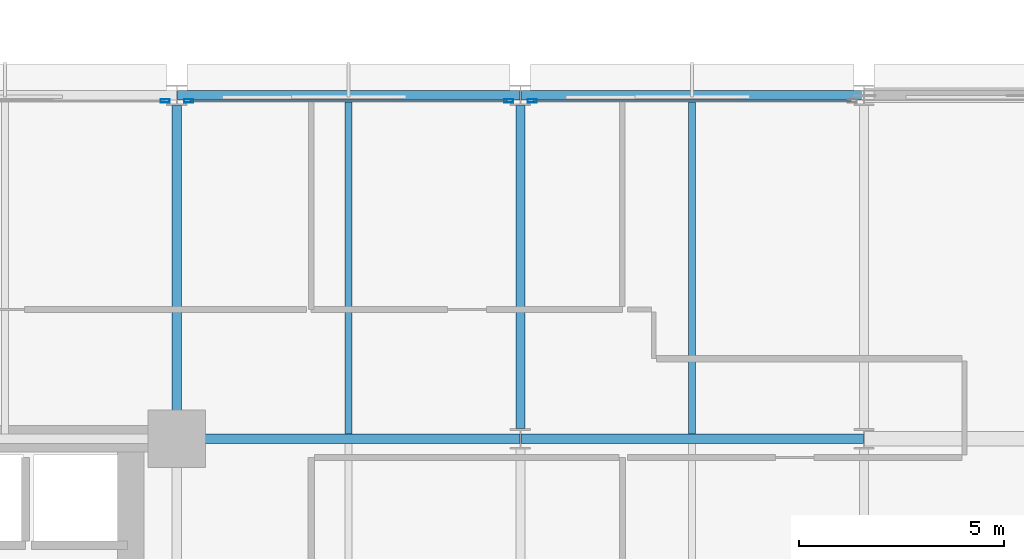
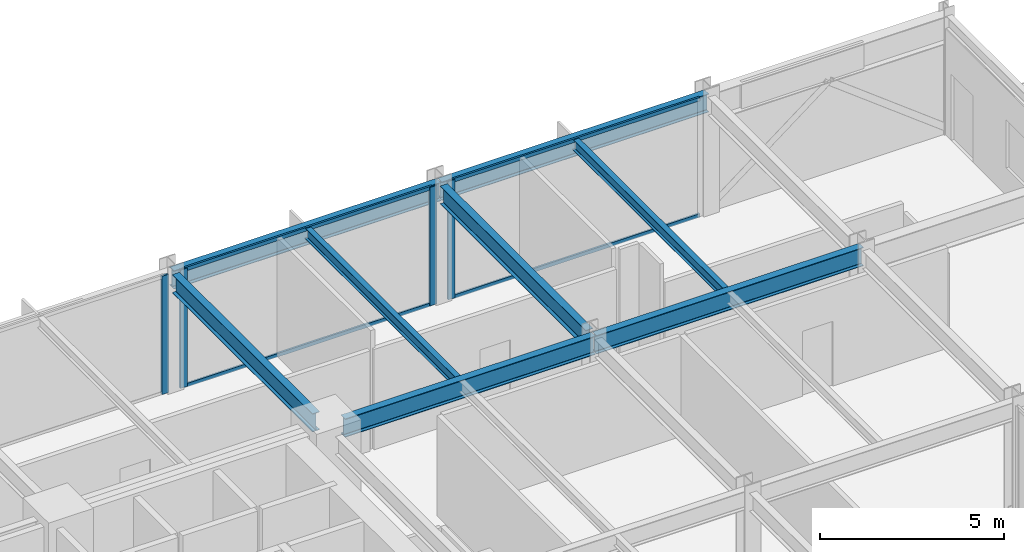
# One storey, part 14 of 30: 8 beams, 8 members, 3 elements without a shape of their own.
"""IFC4 building model written with IfcOpenShell, lengths in metres."""

from ifc_helpers import new_model, si_unit, direction, frame, origin, origin_2d, place, context, subcontext, project, spatial, hollow_rectangle, i_section, extrude, material, layer, layer_set, material_profile, profile_set, type_object, element, aggregate, save


model = new_model("IFC4")

# Units and contexts
model_context = context("Model", 3, precision=1e-05, world=origin(), true_north=direction((0.0, 1.0)))
body_context = subcontext(model_context, "Body", "Model", "MODEL_VIEW")
ifc_project = project(units=[si_unit("LENGTHUNIT", "METRE"), si_unit("AREAUNIT", "SQUARE_METRE"), si_unit("VOLUMEUNIT", "CUBIC_METRE"), si_unit("PLANEANGLEUNIT", "RADIAN"), si_unit("MASSUNIT", "GRAM", prefix="KILO")], contexts=[model_context])

# Site, building, storey
site_placement = place(None, origin())
site = spatial("IfcSite", under=ifc_project, at=site_placement, CompositionType="ELEMENT")
building_placement = place(site_placement, origin())
building = spatial("IfcBuilding", under=site, at=building_placement, Name="Nerrivon Quay Data Exchange", CompositionType="ELEMENT")
storey_placement = place(building_placement, frame((0.0, 0.0, 62.60009765625)))
storey = spatial("IfcBuildingStorey", under=building, at=storey_placement, Name="L14", CompositionType="ELEMENT", Elevation=62.60009765625)

# Beams
ifc_material_1 = material(Name="Steel Grade 350", Category="steel")
ifc_material_profile_1 = material_profile(ifc_material_1, i_section(OverallWidth=0.22900390625, OverallDepth=0.612060546875, WebThickness=0.011962890625, FlangeThickness=0.01953125, FilletRadius=0.013916015625, at=origin_2d()), Name="610UB125")
ifc_profile_set_1 = profile_set([ifc_material_profile_1], Name="Steel Grade 350")
beam_type_1 = type_object("IfcBeamType", Name="BM-G1-610UB125", PredefinedType="BEAM", material=ifc_profile_set_1)
beam_1_placement = place(storey_placement, frame((34.139892578125, 16.800048828125, 3.618896484375), z_axis=(1.0, 0.0, 0.0), x_axis=(0.0, 1.0, 0.0)))
element("IfcBeam", 1, at=beam_1_placement, inside=storey, type_object=beam_type_1, Name="L14 EW Girder Y=16.8 (33.6..42.0)", PredefinedType="BEAM", context=body_context, shape_type="SweptSolid", body=[
    extrude(i_section(OverallWidth=0.22900390625, OverallDepth=0.612060546875, WebThickness=0.011962890625, FlangeThickness=0.01953125, FilletRadius=0.013916015625, at=origin_2d()), origin(), (0.0, 0.0, 1.0), 7.84619140625),
])
for number, where, z_axis, x_axis, name in (
    (2, (42.013916015625, 16.800048828125, 3.618896484375), (1.0, 0.0, 0.0), (0.0, 1.0, 0.0), "L14 EW Girder Y=16.8 (42.0..50.4)"),
    (3, (33.614013671875, 25.199951171875, 3.618896484375), (1.0, 0.0, 0.0), (0.0, 1.0, 0.0), "L14 EW Girder Y=25.2 (33.6..42.0)"),
    (4, (42.013916015625, 25.199951171875, 3.618896484375), (1.0, 0.0, 0.0), (0.0, 1.0, 0.0), "L14 EW Girder Y=25.2 (42.0..50.4)"),
):
    element("IfcBeam", number, at=place(storey_placement, frame(where, z_axis=z_axis, x_axis=x_axis)), inside=storey, type_object=beam_type_1, Name=name, PredefinedType="BEAM", context=body_context, shape_type="SweptSolid", body=[
        extrude(i_section(OverallWidth=0.22900390625, OverallDepth=0.612060546875, WebThickness=0.011962890625, FlangeThickness=0.01953125, FilletRadius=0.013916015625, at=origin_2d()), origin(), (0.0, 0.0, 1.0), 8.3720703125),
    ])
ifc_material_profile_2 = material_profile(ifc_material_1, i_section(OverallWidth=0.22802734375, OverallDepth=0.60205078125, WebThickness=0.010498046875, FlangeThickness=0.014892578125, FilletRadius=0.013916015625, at=origin_2d()), Name="610UB101")
ifc_profile_set_2 = profile_set([ifc_material_profile_2], Name="Steel Grade 350")
beam_type_2 = type_object("IfcBeamType", Name="BM-G2-610UB101", PredefinedType="BEAM", material=ifc_profile_set_2)
beam_2_placement = place(storey_placement, frame((33.60009765625, 17.340087890625, 3.6240234375), z_axis=(0.0, 1.0, 0.0), x_axis=(-1.0, 0.0, 0.0)))
element("IfcBeam", 5, at=beam_2_placement, inside=storey, type_object=beam_type_2, Name="L14 NS Girder X=33.6 (16.8..25.2)", PredefinedType="BEAM", context=body_context, shape_type="SweptSolid", body=[
    extrude(i_section(OverallWidth=0.22802734375, OverallDepth=0.60205078125, WebThickness=0.010498046875, FlangeThickness=0.014892578125, FilletRadius=0.013916015625, at=origin_2d()), origin(), (0.0, 0.0, 1.0), 7.60986328125),
])
beam_3_placement = place(storey_placement, frame((42.0, 17.050048828125, 3.6240234375), z_axis=(0.0, 1.0, 0.0), x_axis=(-1.0, 0.0, 0.0)))
element("IfcBeam", 6, at=beam_3_placement, inside=storey, type_object=beam_type_2, Name="L14 NS Girder X=42.0 (16.8..25.2)", PredefinedType="BEAM", context=body_context, shape_type="SweptSolid", body=[
    extrude(i_section(OverallWidth=0.22802734375, OverallDepth=0.60205078125, WebThickness=0.010498046875, FlangeThickness=0.014892578125, FilletRadius=0.013916015625, at=origin_2d()), origin(), (0.0, 0.0, 1.0), 7.89990234375),
])
ifc_material_profile_3 = material_profile(ifc_material_1, i_section(OverallWidth=0.172119140625, OverallDepth=0.35888671875, WebThickness=0.008056640625, FlangeThickness=0.012939453125, FilletRadius=0.011474609375, at=origin_2d()), Name="360UB56.7")
ifc_profile_set_3 = profile_set([ifc_material_profile_3], Name="Steel Grade 350")
beam_type_3 = type_object("IfcBeamType", Name="BM-J3-360UB57", PredefinedType="JOIST", material=ifc_profile_set_3)
for number, where, z_axis, x_axis, name in (
    (7, (37.800048828125, 16.91455078125, 3.745361328125), (0.0, 1.0, 0.0), (-1.0, 0.0, 0.0), "L14 Secondary Joist X=37.8 (16.8..25.2)"),
    (8, (46.199951171875, 16.91455078125, 3.745361328125), (0.0, 1.0, 0.0), (-1.0, 0.0, 0.0), "L14 Secondary Joist X=46.2 (16.8..25.2)"),
):
    element("IfcBeam", number, at=place(storey_placement, frame(where, z_axis=z_axis, x_axis=x_axis)), inside=storey, type_object=beam_type_3, Name=name, PredefinedType="JOIST", context=body_context, shape_type="SweptSolid", body=[
        extrude(i_section(OverallWidth=0.172119140625, OverallDepth=0.35888671875, WebThickness=0.008056640625, FlangeThickness=0.012939453125, FilletRadius=0.011474609375, at=origin_2d()), origin(), (0.0, 0.0, 1.0), 8.1708984375),
    ])

# Curtain wall, member
ifc_material_2 = material(Name="Anodised aluminium 6063-T6", Category="aluminium")
ifc_layer = layer(ifc_material_2, 0.219970703125)
ifc_layer_set = layer_set([ifc_layer], Name="Anodised aluminium 6063-T6")
curtain_wall_type = type_object("IfcCurtainWallType", Name="CW-SYS-01", PredefinedType="NOTDEFINED", material=ifc_layer_set)
curtain_wall_1_placement = place(storey_placement, origin())
curtain_wall_1 = element("IfcCurtainWall", 9, at=curtain_wall_1_placement, inside=storey, type_object=curtain_wall_type, Name="L14 Unitised Curtain Wall 32", PredefinedType="NOTDEFINED")
ifc_material_profile_4 = material_profile(ifc_material_2, hollow_rectangle(XDim=0.074951171875, YDim=0.219970703125, WallThickness=0.00390625, at=origin_2d()), Name="ALU-MULL-220x75")
ifc_profile_set_4 = profile_set([ifc_material_profile_4], Name="Anodised aluminium 6063-T6")
member_type_1 = type_object("IfcMemberType", Name="CWM-220x75", PredefinedType="MULLION", material=ifc_profile_set_4)
member_1_placement = place(storey_placement, frame((33.3125, 25.06005859375, 0.0), z_axis=(0.0, 0.0, 1.0), x_axis=(0.0, 1.0, 0.0)))
member_1 = element("IfcMember", 10, at=member_1_placement, type_object=member_type_1, Name="CW01 mullion 2", PredefinedType="MULLION", context=body_context, shape_type="SweptSolid", body=[
    extrude(hollow_rectangle(XDim=0.074951171875, YDim=0.219970703125, WallThickness=0.00390625, at=origin_2d()), origin(), (0.0, 0.0, 1.0), 3.9248046875),
])
aggregate(curtain_wall_1, [member_1])

# Curtain wall, members
curtain_wall_2_placement = place(storey_placement, origin())
curtain_wall_2 = element("IfcCurtainWall", 11, at=curtain_wall_2_placement, inside=storey, type_object=curtain_wall_type, Name="L14 Unitised Curtain Wall 33", PredefinedType="NOTDEFINED")
member_2_placement = place(storey_placement, frame((33.887451171875, 25.06005859375, 0.0), z_axis=(0.0, 0.0, 1.0), x_axis=(0.0, 1.0, 0.0)))
member_2 = element("IfcMember", 12, at=member_2_placement, type_object=member_type_1, Name="CW01 mullion 1", PredefinedType="MULLION", context=body_context, shape_type="SweptSolid", body=[
    extrude(hollow_rectangle(XDim=0.074951171875, YDim=0.219970703125, WallThickness=0.00390625, at=origin_2d()), origin(), (0.0, 0.0, 1.0), 3.9248046875),
])
member_3_placement = place(storey_placement, frame((41.71240234375, 25.06005859375, 0.0), z_axis=(0.0, 0.0, 1.0), x_axis=(0.0, 1.0, 0.0)))
member_3 = element("IfcMember", 13, at=member_3_placement, type_object=member_type_1, Name="CW01 mullion 2", PredefinedType="MULLION", context=body_context, shape_type="SweptSolid", body=[
    extrude(hollow_rectangle(XDim=0.074951171875, YDim=0.219970703125, WallThickness=0.00390625, at=origin_2d()), origin(), (0.0, 0.0, 1.0), 3.9248046875),
])

# Curtain wall, member
curtain_wall_3_placement = place(storey_placement, origin())
curtain_wall_3 = element("IfcCurtainWall", 14, at=curtain_wall_3_placement, inside=storey, type_object=curtain_wall_type, Name="L14 Unitised Curtain Wall 34", PredefinedType="NOTDEFINED")
member_4_placement = place(storey_placement, frame((42.28759765625, 25.06005859375, 0.0), z_axis=(0.0, 0.0, 1.0), x_axis=(0.0, 1.0, 0.0)))
member_4 = element("IfcMember", 15, at=member_4_placement, type_object=member_type_1, Name="CW01 mullion 1", PredefinedType="MULLION", context=body_context, shape_type="SweptSolid", body=[
    extrude(hollow_rectangle(XDim=0.074951171875, YDim=0.219970703125, WallThickness=0.00390625, at=origin_2d()), origin(), (0.0, 0.0, 1.0), 3.9248046875),
])

# Member
ifc_material_profile_5 = material_profile(ifc_material_2, hollow_rectangle(XDim=0.06005859375, YDim=0.1201171875, WallThickness=0.003173828125, at=origin_2d()), Name="ALU-TRAN-120x60")
ifc_profile_set_5 = profile_set([ifc_material_profile_5], Name="Anodised aluminium 6063-T6")
member_type_2 = type_object("IfcMemberType", Name="CWT-120x60", PredefinedType="USERDEFINED", material=ifc_profile_set_5)
member_5_placement = place(storey_placement, frame((33.925048828125, 25.06005859375, 0.032470703125), z_axis=(1.0, 0.0, 0.0), x_axis=(0.0, 1.0, 0.0)))
member_5 = element("IfcMember", 16, at=member_5_placement, type_object=member_type_2, Name="CW01 transom 1.1", ObjectType="TRANSOM", PredefinedType="USERDEFINED", context=body_context, shape_type="SweptSolid", body=[
    extrude(hollow_rectangle(XDim=0.06005859375, YDim=0.1201171875, WallThickness=0.003173828125, at=origin_2d()), origin(), (0.0, 0.0, 1.0), 7.75),
])

member_6_placement = place(storey_placement, frame((33.925048828125, 25.06005859375, 3.892333984375), z_axis=(1.0, 0.0, 0.0), x_axis=(0.0, 1.0, 0.0)))
member_6 = element("IfcMember", 17, at=member_6_placement, type_object=member_type_2, Name="CW01 transom 1.2", ObjectType="TRANSOM", PredefinedType="USERDEFINED", context=body_context, shape_type="SweptSolid", body=[
    extrude(hollow_rectangle(XDim=0.06005859375, YDim=0.1201171875, WallThickness=0.003173828125, at=origin_2d()), origin(), (0.0, 0.0, 1.0), 7.75),
])

aggregate(curtain_wall_2, [member_2, member_3, member_5, member_6])

member_7_placement = place(storey_placement, frame((42.324951171875, 25.06005859375, 0.032470703125), z_axis=(1.0, 0.0, 0.0), x_axis=(0.0, 1.0, 0.0)))
member_7 = element("IfcMember", 18, at=member_7_placement, type_object=member_type_2, Name="CW01 transom 1.1", ObjectType="TRANSOM", PredefinedType="USERDEFINED", context=body_context, shape_type="SweptSolid", body=[
    extrude(hollow_rectangle(XDim=0.06005859375, YDim=0.1201171875, WallThickness=0.003173828125, at=origin_2d()), origin(), (0.0, 0.0, 1.0), 7.75),
])

member_8_placement = place(storey_placement, frame((42.324951171875, 25.06005859375, 3.892333984375), z_axis=(1.0, 0.0, 0.0), x_axis=(0.0, 1.0, 0.0)))
member_8 = element("IfcMember", 19, at=member_8_placement, type_object=member_type_2, Name="CW01 transom 1.2", ObjectType="TRANSOM", PredefinedType="USERDEFINED", context=body_context, shape_type="SweptSolid", body=[
    extrude(hollow_rectangle(XDim=0.06005859375, YDim=0.1201171875, WallThickness=0.003173828125, at=origin_2d()), origin(), (0.0, 0.0, 1.0), 7.75),
])

aggregate(curtain_wall_3, [member_4, member_7, member_8])

save(model, "model.ifc")
